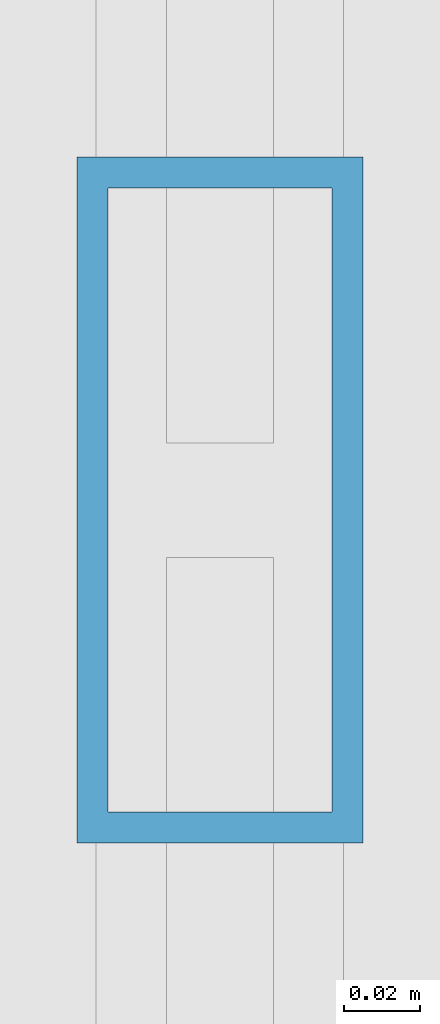
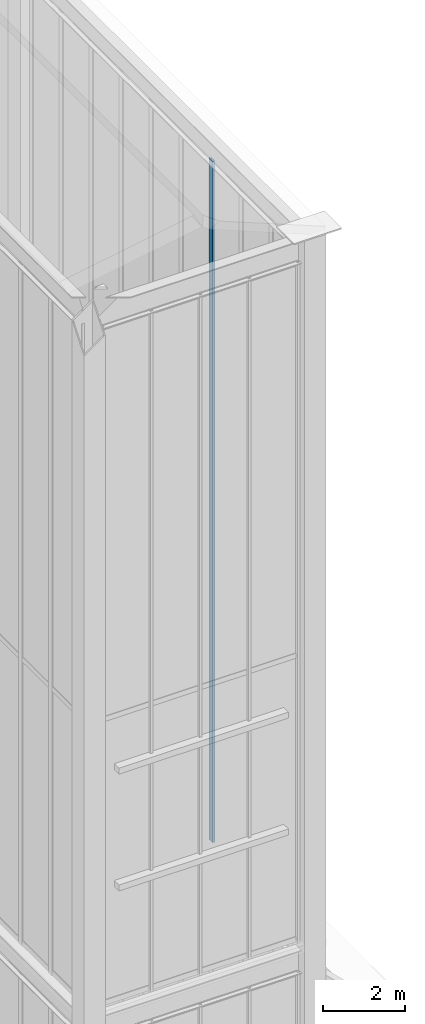
# One storey, part 57 of 135: 1 member, 1 element without a shape of its own.
"""IFC4 building model written with IfcOpenShell, lengths in metres."""

from ifc_helpers import new_model, si_unit, direction, frame, origin, origin_2d, place, context, subcontext, project, spatial, hollow_rectangle, extrude, source, transform, mapped, material, layer, layer_set, material_profile, profile_set, type_object, element, aggregate, save


model = new_model("IFC4")

# Units and contexts
model_context = context("Model", 3, precision=1e-05, world=origin(), true_north=direction((0.0, 1.0)))
body_context = subcontext(model_context, "Body", "Model", "MODEL_VIEW")
ifc_project = project(units=[si_unit("LENGTHUNIT", "METRE"), si_unit("AREAUNIT", "SQUARE_METRE"), si_unit("VOLUMEUNIT", "CUBIC_METRE"), si_unit("PLANEANGLEUNIT", "RADIAN"), si_unit("MASSUNIT", "GRAM", prefix="KILO")], contexts=[model_context])

# Site, building, storey
site_placement = place(None, origin())
site = spatial("IfcSite", under=ifc_project, at=site_placement, CompositionType="ELEMENT")
building_placement = place(site_placement, origin())
building = spatial("IfcBuilding", under=site, at=building_placement, Name="Giltprow Tower", CompositionType="ELEMENT")
storey_placement = place(building_placement, frame((0.0, 0.0, 352.699951171875)))
storey = spatial("IfcBuildingStorey", under=building, at=storey_placement, Name="L92", CompositionType="ELEMENT", Elevation=352.699951171875)

# Curtain wall, member
ifc_material = material(Name="Anodized bronze", Category="metal")
ifc_layer = layer(ifc_material, 0.179931640625, Name="Anodized bronze")
ifc_layer_set = layer_set([ifc_layer], Name="Anodized bronze")
curtain_wall_type = type_object("IfcCurtainWallType", Name="CW-CROWN-LANTERN", PredefinedType="NOTDEFINED", material=ifc_layer_set)
curtain_wall_placement = place(storey_placement, origin())
curtain_wall = element("IfcCurtainWall", 1, at=curtain_wall_placement, inside=storey, type_object=curtain_wall_type, Name="Crown East Upper Lantern Glazing 2", PredefinedType="NOTDEFINED")
ifc_material_profile = material_profile(ifc_material, hollow_rectangle(XDim=0.074951171875, YDim=0.179931640625, WallThickness=0.008056640625, at=origin_2d()), Name="RHS 180x75x8")
ifc_profile_set = profile_set([ifc_material_profile], Name="Anodized bronze")
member_type = type_object("IfcMemberType", Name="CW-MULLION-180x75", PredefinedType="MULLION", material=ifc_profile_set)
shared_shape = source(origin(), body_context, "Body", "SweptSolid", [
    extrude(hollow_rectangle(XDim=0.074951171875, YDim=0.179931640625, WallThickness=0.008056640625, at=origin_2d()), origin(), (0.0, 0.0, 1.0), 20.406005859375),
])
member_placement = place(storey_placement, frame((50.550048828125, 28.26708984375, 17.25), z_axis=(0.0, 0.0, 1.0), x_axis=(1.0, 0.0, 0.0)))
member = element("IfcMember", 2, at=member_placement, type_object=member_type, Name="Crown East Upper Lantern Glazing 2 Mullion 4", PredefinedType="MULLION", context=body_context, shape_type="MappedRepresentation", body=[
    mapped(shared_shape, transform((0.0, 0.0, 0.0), x_axis=(1.0, 0.0, 0.0), y_axis=(0.0, 1.0, 0.0), z_axis=(0.0, 0.0, 1.0), scale=1.0)),
])
aggregate(curtain_wall, [member])

save(model, "model.ifc")
